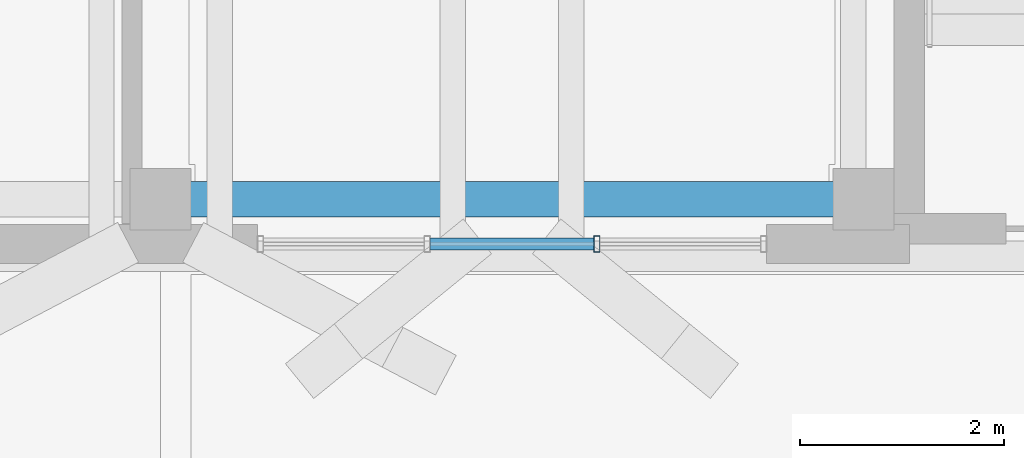
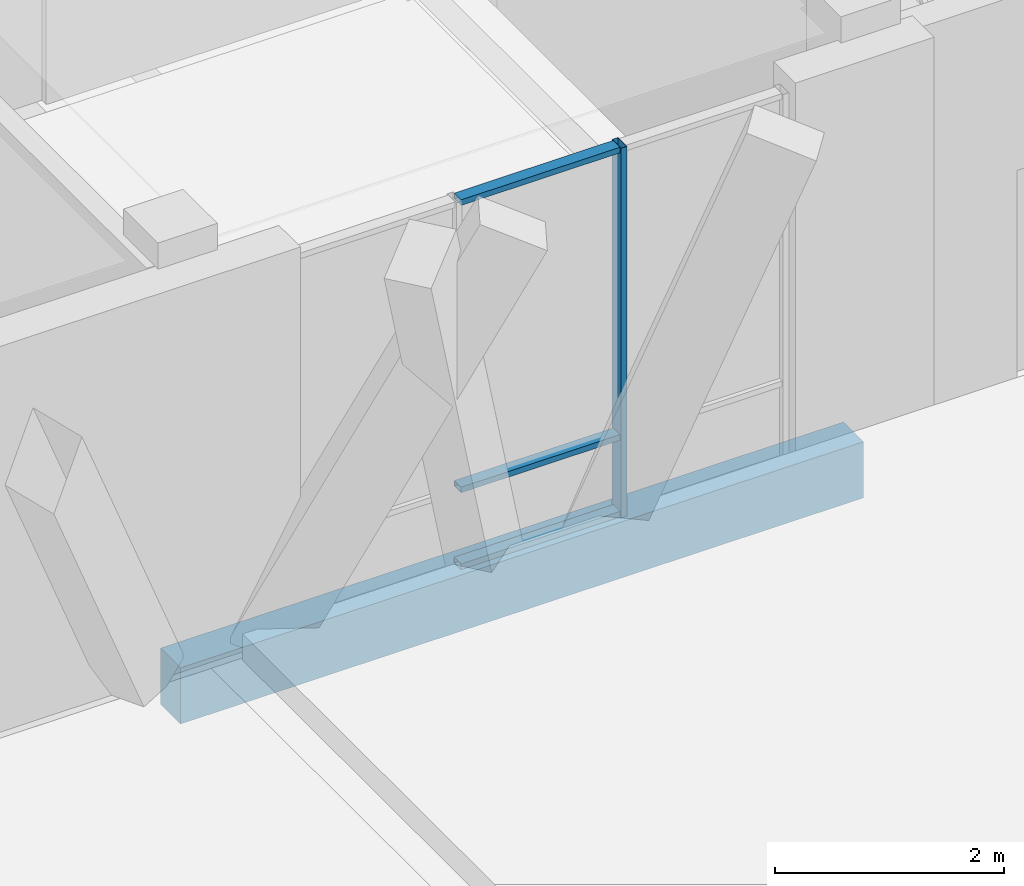
# One storey, part 101 of 233: 4 members, 1 beam, 1 element without a shape of its own.
"""IFC4 building model written with IfcOpenShell, lengths in metres."""

from ifc_helpers import new_model, si_unit, direction, frame, origin, origin_2d, place, context, subcontext, project, spatial, rectangle, hollow_rectangle, extrude, material, material_profile, profile_set, type_object, element, aggregate, save


model = new_model("IFC4")

# Units and contexts
model_context = context("Model", 3, precision=1e-05, world=origin(), true_north=direction((0.0, 1.0)))
body_context = subcontext(model_context, "Body", "Model", "MODEL_VIEW")
ifc_project = project(units=[si_unit("LENGTHUNIT", "METRE"), si_unit("AREAUNIT", "SQUARE_METRE"), si_unit("VOLUMEUNIT", "CUBIC_METRE"), si_unit("PLANEANGLEUNIT", "RADIAN"), si_unit("MASSUNIT", "GRAM", prefix="KILO")], contexts=[model_context])

# Site, building, storey
site_placement = place(None, origin())
site = spatial("IfcSite", under=ifc_project, at=site_placement, CompositionType="ELEMENT")
building_placement = place(site_placement, origin())
building = spatial("IfcBuilding", under=site, at=building_placement, Name="Zavelmont Quarter", CompositionType="ELEMENT")
storey_placement = place(building_placement, origin())
storey = spatial("IfcBuildingStorey", under=building, at=storey_placement, Name="L00", CompositionType="ELEMENT", Elevation=0.0)

# Beam
ifc_material_1 = material(Name="Concrete C35/45", Category="concrete")
ifc_material_profile_1 = material_profile(ifc_material_1, rectangle(XDim=0.35009765625, YDim=0.60009765625, at=origin_2d()), Name="RC350X600")
ifc_profile_set_1 = profile_set([ifc_material_profile_1], Name="Concrete C35/45")
beam_type = type_object("IfcBeamType", Name="BM01", PredefinedType="SPANDREL", material=ifc_profile_set_1)
beam_placement = place(storey_placement, frame((20.699951171875, 98.0400390625, -0.6201171875), z_axis=(1.0, 0.0, 0.0), x_axis=(0.0, 1.0, 0.0)))
element("IfcBeam", 1, at=beam_placement, inside=storey, type_object=beam_type, Name="L00 beam BM01 4/P to 5/P", PredefinedType="SPANDREL", context=body_context, shape_type="SweptSolid", body=[
    extrude(rectangle(XDim=0.35009765625, YDim=0.60009765625, at=origin_2d()), origin(), (0.0, 0.0, 1.0), 6.900146484375),
])

# Curtain wall, members
ifc_material_2 = material(Name="Thermally broken aluminium and double low-E safety glazing", Category="aluminium")
curtain_wall_type = type_object("IfcCurtainWallType", Name="CW-500X395", PredefinedType="NOTDEFINED", material=ifc_material_2)
curtain_wall_placement = place(storey_placement, origin())
curtain_wall = element("IfcCurtainWall", 2, at=curtain_wall_placement, inside=storey, type_object=curtain_wall_type, Name="L00 unitised curtain wall CW-500X395", PredefinedType="NOTDEFINED")
ifc_material_3 = material(Name="Powder-coated aluminium EN AW-6063-T6", Category="aluminium")
ifc_material_profile_2 = material_profile(ifc_material_3, hollow_rectangle(XDim=0.06005859375, YDim=0.159912109375, WallThickness=0.00390625, at=origin_2d()), Name="CWM60X160")
ifc_profile_set_2 = profile_set([ifc_material_profile_2], Name="Powder-coated aluminium EN AW-6063-T6")
member_type_1 = type_object("IfcMemberType", Name="CWM01", PredefinedType="MULLION", material=ifc_profile_set_2)
member_1_placement = place(storey_placement, frame((24.9833984375, 97.60009765625, 0.0), z_axis=(0.0, 0.0, 1.0), x_axis=(1.0, 0.0, 0.0)))
member_1 = element("IfcMember", 3, at=member_1_placement, type_object=member_type_1, Name="CW-500X395 mullion 3", PredefinedType="MULLION", context=body_context, shape_type="SweptSolid", body=[
    extrude(hollow_rectangle(XDim=0.06005859375, YDim=0.159912109375, WallThickness=0.00390625, at=origin_2d()), origin(), (0.0, 0.0, 1.0), 3.949951171875),
])
ifc_material_profile_3 = material_profile(ifc_material_3, hollow_rectangle(XDim=0.1201171875, YDim=0.06005859375, WallThickness=0.00390625, at=origin_2d()), Name="CWT60X120")
ifc_profile_set_3 = profile_set([ifc_material_profile_3], Name="Powder-coated aluminium EN AW-6063-T6")
member_type_2 = type_object("IfcMemberType", Name="CWT01", PredefinedType="NOTDEFINED", material=ifc_profile_set_3)
member_2_placement = place(storey_placement, frame((23.3466796875, 97.60009765625, 0.030029296875), z_axis=(1.0, 0.0, 0.0), x_axis=(0.0, 1.0, 0.0)))
member_2 = element("IfcMember", 4, at=member_2_placement, type_object=member_type_2, Name="CW-500X395 transom 2.1", ObjectType="TRANSOM", PredefinedType="USERDEFINED", context=body_context, shape_type="SweptSolid", body=[
    extrude(hollow_rectangle(XDim=0.1201171875, YDim=0.06005859375, WallThickness=0.00390625, at=origin_2d()), origin(), (0.0, 0.0, 1.0), 1.606689453125),
])
member_3_placement = place(storey_placement, frame((23.3466796875, 97.60009765625, 0.85009765625), z_axis=(1.0, 0.0, 0.0), x_axis=(0.0, 1.0, 0.0)))
member_3 = element("IfcMember", 5, at=member_3_placement, type_object=member_type_2, Name="CW-500X395 transom 2.2", ObjectType="TRANSOM", PredefinedType="USERDEFINED", context=body_context, shape_type="SweptSolid", body=[
    extrude(hollow_rectangle(XDim=0.1201171875, YDim=0.06005859375, WallThickness=0.00390625, at=origin_2d()), origin(), (0.0, 0.0, 1.0), 1.606689453125),
])
member_4_placement = place(storey_placement, frame((23.3466796875, 97.60009765625, 3.919921875), z_axis=(1.0, 0.0, 0.0), x_axis=(0.0, 1.0, 0.0)))
member_4 = element("IfcMember", 6, at=member_4_placement, type_object=member_type_2, Name="CW-500X395 transom 2.3", ObjectType="TRANSOM", PredefinedType="USERDEFINED", context=body_context, shape_type="SweptSolid", body=[
    extrude(hollow_rectangle(XDim=0.1201171875, YDim=0.06005859375, WallThickness=0.00390625, at=origin_2d()), origin(), (0.0, 0.0, 1.0), 1.606689453125),
])
aggregate(curtain_wall, [member_1, member_2, member_3, member_4])

save(model, "model.ifc")
